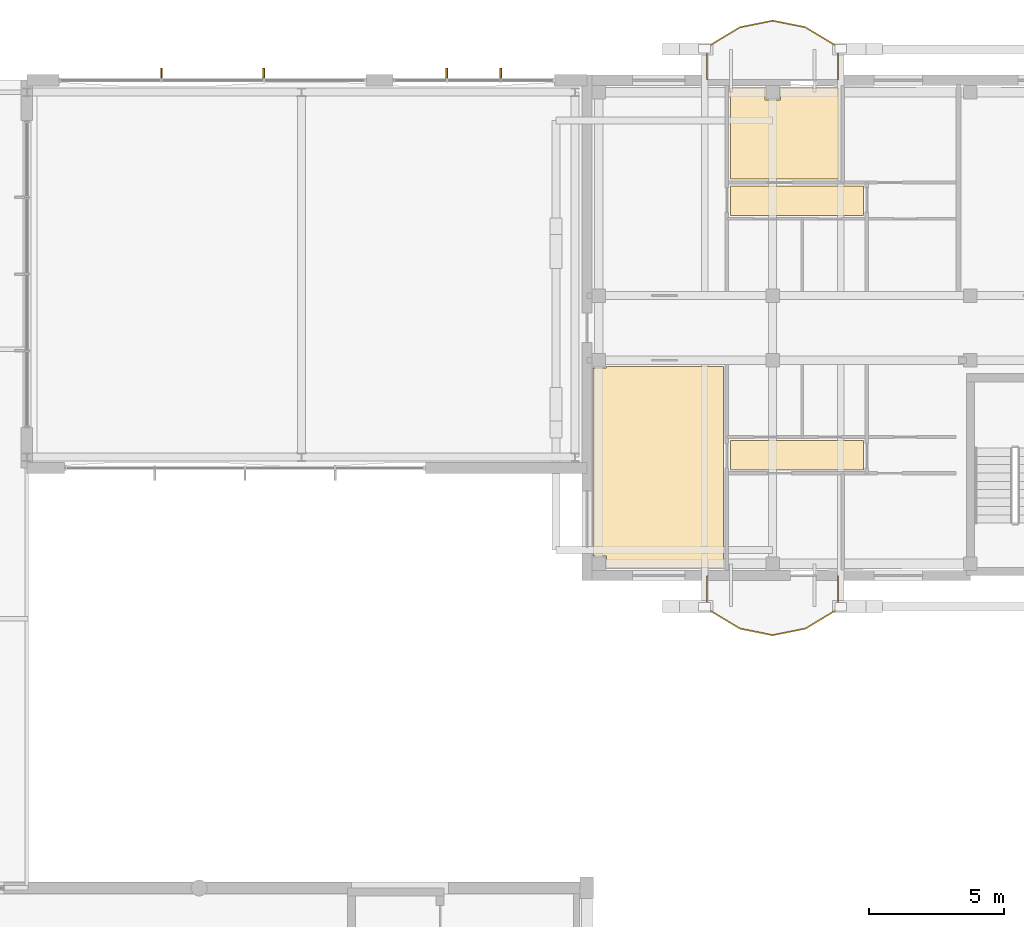
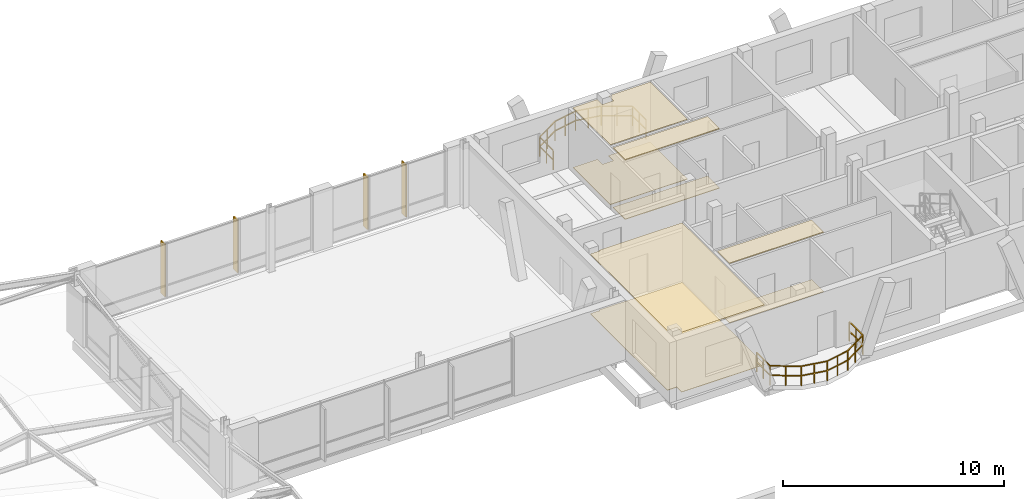
# One storey, part 184 of 189: 8 coverings, 4 shading devices, 2 railings.
"""IFC4 building model written with IfcOpenShell, lengths in metres."""

import ifcopenshell
import ifcopenshell.guid

model = None  # the IFC model being written
_history = None  # IfcOwnerHistory: only IFC2X3 demands one
_inside = {}  # id of a spatial element -> (the spatial element, [elements in it])
_under = {}  # id of a project, library or spatial element -> (it, [spatial elements below it])
_declared = {}  # id of a project -> (the project, [libraries it declares])
_typed = {}  # id of a type object -> (the type object, [elements of that type])
_made_of = {}  # id of a material, layer set ... -> (it, [elements and type objects made of it])


def new_model(schema):
    """Start an empty IFC model of exactly this schema.

    Asked for "IFC4X3", IfcOpenShell would pick the latest addendum, in which some entities
    have other attributes; the version numbers below select the first issue.
    IFC2X3 requires an IfcOwnerHistory on every rooted entity: one is made here for all.
    """
    global model, _history
    if schema == "IFC4X3":
        model = ifcopenshell.file(schema_version=(4, 3, 0, 0))
    else:
        model = ifcopenshell.file(schema=schema)
    _inside.clear()
    _under.clear()
    _declared.clear()
    _typed.clear()
    _made_of.clear()
    _history = None
    if model.schema == "IFC2X3":
        org = make("IfcOrganization", Name="unknown")
        user = make(
            "IfcPersonAndOrganization",
            ThePerson=make("IfcPerson", FamilyName="unknown"),
            TheOrganization=org,
        )
        app = make(
            "IfcApplication",
            ApplicationDeveloper=org,
            Version="unknown",
            ApplicationFullName="unknown",
            ApplicationIdentifier="unknown",
        )
        _history = make(
            "IfcOwnerHistory",
            OwningUser=user,
            OwningApplication=app,
            ChangeAction="ADDED",
            CreationDate=0,
        )
    return model


def make(cls, **values):
    """One entity of the class cls with the attributes given. An attribute that is None is left unset."""
    return model.create_entity(
        cls, **{name: value for name, value in values.items() if value is not None}
    )


def rooted(cls, **values):
    """An entity with a GlobalId (a new one), such as an element, a storey or a relation."""
    return make(cls, GlobalId=ifcopenshell.guid.new(), OwnerHistory=_history, **values)


def si_unit(unit_type, name, prefix=None):
    """IfcSIUnit, for example si_unit("LENGTHUNIT", "METRE", prefix="MILLI")."""
    return make("IfcSIUnit", UnitType=unit_type, Prefix=prefix, Name=name)


def assignment(units):
    """IfcUnitAssignment: the units of a project."""
    return None if units is None else make("IfcUnitAssignment", Units=units)


def point(xyz):
    """IfcCartesianPoint."""
    return None if xyz is None else make("IfcCartesianPoint", Coordinates=xyz)


def direction(xyz):
    """IfcDirection."""
    return None if xyz is None else make("IfcDirection", DirectionRatios=xyz)


def frame(location, z_axis=None, x_axis=None):
    """IfcAxis2Placement3D, a coordinate frame: its origin and axes. An axis left out is left unset."""
    return make(
        "IfcAxis2Placement3D",
        Location=point(location),
        Axis=direction(z_axis),
        RefDirection=direction(x_axis),
    )


def frame_2d(location, x_axis=None):
    """IfcAxis2Placement2D, a coordinate frame in the plane: its origin and x axis."""
    return make(
        "IfcAxis2Placement2D", Location=point(location), RefDirection=direction(x_axis)
    )


def origin():
    """The frame at (0, 0, 0) with its axes left unset."""
    return frame((0.0, 0.0, 0.0))


def origin_2d():
    """The frame at (0, 0) in the plane with its x axis left unset."""
    return frame_2d((0.0, 0.0))


def place(relative_to, where):
    """IfcLocalPlacement: puts the frame where relative to a parent placement (None: the world)."""
    return make(
        "IfcLocalPlacement", PlacementRelTo=relative_to, RelativePlacement=where
    )


def context(
    kind, dimensions, precision=None, world=None, true_north=None, identifier=None
):
    """IfcGeometricRepresentationContext, for example the 3D "Model" context."""
    return make(
        "IfcGeometricRepresentationContext",
        ContextIdentifier=identifier,
        ContextType=kind,
        CoordinateSpaceDimension=dimensions,
        Precision=precision,
        WorldCoordinateSystem=world,
        TrueNorth=true_north,
    )


def subcontext(parent, identifier, kind, view, scale=None):
    """IfcGeometricRepresentationSubContext, for example "Body" below "Model"."""
    return make(
        "IfcGeometricRepresentationSubContext",
        ContextIdentifier=identifier,
        ContextType=kind,
        ParentContext=parent,
        TargetScale=scale,
        TargetView=view,
    )


def project(units=None, contexts=None):
    """IfcProject with its units and contexts."""
    return rooted(
        "IfcProject",
        Name="project",
        RepresentationContexts=contexts,
        UnitsInContext=assignment(units),
    )


def spatial(cls, under=None, at=None, **own):
    """A site, building, storey or space (cls), placed at a placement, below another one or the project."""
    s = rooted(cls, ObjectPlacement=at, **own)
    if under is not None:
        _under.setdefault(under.id(), (under, []))[1].append(s)
    return s


def polyline(points):
    """IfcPolyline through the points."""
    return make("IfcPolyline", Points=[point(p) for p in points])


def profile(cls, at=None, kind="AREA", **sizes):
    """A parametric profile (cls). Its sizes go by their IFC names, for example OverallWidth=200.0."""
    return make(cls, ProfileType=kind, Position=at, **sizes)


def rectangle(**sizes):
    """IfcRectangleProfileDef."""
    return profile("IfcRectangleProfileDef", **sizes)


def outline(outer, holes=None, kind="AREA"):
    """IfcArbitraryClosedProfileDef: a profile drawn as a closed curve; with holes, ...WithVoids."""
    if holes is None:
        return make("IfcArbitraryClosedProfileDef", ProfileType=kind, OuterCurve=outer)
    return make(
        "IfcArbitraryProfileDefWithVoids",
        ProfileType=kind,
        OuterCurve=outer,
        InnerCurves=holes,
    )


def extrude(swept, where, along, depth):
    """IfcExtrudedAreaSolid: the profile swept, set in the frame where, extruded along a direction by depth."""
    return make(
        "IfcExtrudedAreaSolid",
        SweptArea=swept,
        Position=where,
        ExtrudedDirection=direction(along),
        Depth=depth,
    )


def shape(context_of_items, identifier, shape_type, items):
    """IfcShapeRepresentation: the items that make up one representation, for example the "Body"."""
    return make(
        "IfcShapeRepresentation",
        ContextOfItems=context_of_items,
        RepresentationIdentifier=identifier,
        RepresentationType=shape_type,
        Items=items,
    )


def material(Name=None, Category=None):
    """IfcMaterial."""
    return make("IfcMaterial", Name=Name, Category=Category)


def layer(
    of_material, thickness, ventilated=None, Name=None, Category=None, Priority=None
):
    """IfcMaterialLayer: one layer of a wall or slab, of a material (None: an air gap)."""
    return make(
        "IfcMaterialLayer",
        Material=of_material,
        LayerThickness=thickness,
        IsVentilated=ventilated,
        Name=Name,
        Category=Category,
        Priority=Priority,
    )


def layer_set(layers, Name=None):
    """IfcMaterialLayerSet."""
    return make("IfcMaterialLayerSet", MaterialLayers=layers, LayerSetName=Name)


def made_of(thing, what):
    """Note that an element or type object is made of a material, layer set ...; save() writes the relation."""
    if what is not None:
        _made_of.setdefault(what.id(), (what, []))[1].append(thing)
    return thing


def type_object(cls, material=None, **own):
    """A type object (cls), such as IfcWallType, which elements share."""
    return made_of(rooted(cls, **own), material)


def element(
    cls,
    number,
    at=None,
    inside=None,
    cuts=None,
    type_object=None,
    material=None,
    context=None,
    identifier="Body",
    shape_type=None,
    held_by="IfcProductDefinitionShape",
    body=None,
    shapes=None,
    **own,
):
    """One element of the class cls, such as IfcWall. Its Tag is "e" and its number.

    at: its placement. inside: the storey or other place that contains it. cuts: it is an
    opening in that element (IfcRelVoidsElement). A single representation is given by context,
    identifier, shape_type and body (its items); several are given by shapes. held_by: the class
    of the entity that holds the representations. save() writes the other relations.
    """
    e = rooted(cls, Tag="e%d" % number, ObjectPlacement=at, **own)
    if body is not None:
        shapes = [shape(context, identifier, shape_type, body)]
    if shapes is not None:
        e.Representation = make(held_by, Representations=shapes)
    if inside is not None:
        _inside.setdefault(inside.id(), (inside, []))[1].append(e)
    if cuts is not None:
        rooted(
            "IfcRelVoidsElement", RelatingBuildingElement=cuts, RelatedOpeningElement=e
        )
    if type_object is not None:
        _typed.setdefault(type_object.id(), (type_object, []))[1].append(e)
    return made_of(e, material)


def aggregate(whole, parts):
    """IfcRelAggregates: a whole, such as a stair, and the parts it consists of."""
    return rooted("IfcRelAggregates", RelatingObject=whole, RelatedObjects=parts)


def save(model, path):
    """Write the relations noted so far, then the file.

    IfcRelAggregates (storeys below a building ...), IfcRelContainedInSpatialStructure (elements
    in a storey), IfcRelDefinesByType, IfcRelAssociatesMaterial and IfcRelDeclares: one each for
    every whole, place, type object, material and project.
    """
    for whole, parts in _under.values():
        aggregate(whole, parts)
    for where, things in _inside.values():
        rooted(
            "IfcRelContainedInSpatialStructure",
            RelatedElements=things,
            RelatingStructure=where,
        )
    for kind, things in _typed.values():
        rooted("IfcRelDefinesByType", RelatedObjects=things, RelatingType=kind)
    for what, things in _made_of.values():
        rooted("IfcRelAssociatesMaterial", RelatedObjects=things, RelatingMaterial=what)
    for by, libraries in _declared.values():
        rooted("IfcRelDeclares", RelatingContext=by, RelatedDefinitions=libraries)
    model.write(path)


model = new_model("IFC4")

# Units and contexts
model_context = context("Model", 3, precision=1e-05, world=origin(), true_north=direction((0.0, 1.0)))
body_context = subcontext(model_context, "Body", "Model", "MODEL_VIEW")
ifc_project = project(units=[si_unit("LENGTHUNIT", "METRE"), si_unit("AREAUNIT", "SQUARE_METRE"), si_unit("VOLUMEUNIT", "CUBIC_METRE"), si_unit("PLANEANGLEUNIT", "RADIAN"), si_unit("MASSUNIT", "GRAM", prefix="KILO")], contexts=[model_context])

# Site, building, storey
site_placement = place(None, origin())
site = spatial("IfcSite", under=ifc_project, at=site_placement, CompositionType="ELEMENT")
building_placement = place(site_placement, origin())
building = spatial("IfcBuilding", under=site, at=building_placement, Name="Zavelmont Quarter", CompositionType="ELEMENT")
storey_placement = place(building_placement, frame((0.0, 0.0, 4.39990234375)))
storey = spatial("IfcBuildingStorey", under=building, at=storey_placement, Name="L01", CompositionType="ELEMENT", Elevation=4.39990234375)

# Coverings
ifc_material_1 = material(Name="Perforated acoustic gypsum board")
ifc_layer_1 = layer(ifc_material_1, 0.02490234375)
ifc_layer_set_1 = layer_set([ifc_layer_1], Name="Perforated acoustic gypsum board")
covering_type_1 = type_object("IfcCoveringType", Name="CV-CL01", PredefinedType="CEILING", material=ifc_layer_set_1)
covering_1_placement = place(storey_placement, frame((0.0, 0.0, 3.30517578125)))
element("IfcCovering", 1, at=covering_1_placement, inside=storey, type_object=covering_type_1, Name="L01 Master Bedroom acoustic ceiling", PredefinedType="CEILING", context=body_context, shape_type="SweptSolid", body=[
    extrude(outline(polyline([(118.1298828125, 115.719970703125), (119.409912109375, 115.719970703125), (119.409912109375, 115.27001953125), (119.989990234375, 115.27001953125), (119.989990234375, 115.719970703125), (122.169921875, 115.719970703125), (122.169921875, 112.330078125), (118.1298828125, 112.330078125), (118.1298828125, 115.719970703125)])), origin(), (0.0, 0.0, 1.0), 0.02490234375),
])
covering_2_placement = place(storey_placement, frame((0.0, 0.0, 3.30517578125)))
element("IfcCovering", 2, at=covering_2_placement, inside=storey, type_object=covering_type_1, Name="L01 Living Dining acoustic ceiling", PredefinedType="CEILING", context=body_context, shape_type="SweptSolid", body=[
    extrude(outline(polyline([(113.030029296875, 105.31005859375), (113.530029296875, 105.31005859375), (113.530029296875, 105.3701171875), (117.8701171875, 105.3701171875), (117.8701171875, 97.8798828125), (113.530029296875, 97.8798828125), (113.530029296875, 98.330078125), (113.030029296875, 98.330078125), (113.030029296875, 105.31005859375)])), origin(), (0.0, 0.0, 1.0), 0.02490234375),
])
ifc_material_2 = material(Name="Slatted European ash acoustic baffle ceiling")
ifc_layer_2 = layer(ifc_material_2, 0.0400390625)
ifc_layer_set_2 = layer_set([ifc_layer_2], Name="Slatted European ash acoustic baffle ceiling")
covering_type_2 = type_object("IfcCoveringType", Name="CV-CL02", PredefinedType="CEILING", material=ifc_layer_set_2)
covering_3_placement = place(storey_placement, frame((0.0, 0.0, 3.2900390625)))
element("IfcCovering", 3, at=covering_3_placement, inside=storey, type_object=covering_type_2, Name="L01 Apartment Hall acoustic ceiling", PredefinedType="CEILING", context=body_context, shape_type="SweptSolid", body=[
    extrude(outline(polyline([(118.1298828125, 112.070068359375), (123.070068359375, 112.070068359375), (123.070068359375, 110.97998046875), (118.1298828125, 110.97998046875), (118.1298828125, 112.070068359375)])), origin(), (0.0, 0.0, 1.0), 0.0400390625),
])
covering_4_placement = place(storey_placement, frame((0.0, 0.0, 3.2900390625)))
element("IfcCovering", 4, at=covering_4_placement, inside=storey, type_object=covering_type_2, Name="L01 Apartment Hall acoustic ceiling", PredefinedType="CEILING", context=body_context, shape_type="SweptSolid", body=[
    extrude(outline(polyline([(118.1298828125, 102.6201171875), (123.070068359375, 102.6201171875), (123.070068359375, 101.530029296875), (118.1298828125, 101.530029296875), (118.1298828125, 102.6201171875)])), origin(), (0.0, 0.0, 1.0), 0.0400390625),
])
ifc_material_3 = material(Name="Engineered European oak parquet")
ifc_layer_3 = layer(ifc_material_3, 0.02197265625)
ifc_layer_set_3 = layer_set([ifc_layer_3], Name="Engineered European oak parquet")
covering_type_3 = type_object("IfcCoveringType", Name="CV-FL01", PredefinedType="FLOORING", material=ifc_layer_set_3)
covering_5_placement = place(storey_placement, origin())
element("IfcCovering", 5, at=covering_5_placement, inside=storey, type_object=covering_type_3, Name="L01 Master Bedroom floor finish", PredefinedType="FLOORING", context=body_context, shape_type="SweptSolid", body=[
    extrude(outline(polyline([(118.1298828125, 115.719970703125), (119.409912109375, 115.719970703125), (119.409912109375, 115.27001953125), (119.989990234375, 115.27001953125), (119.989990234375, 115.719970703125), (122.169921875, 115.719970703125), (122.169921875, 112.330078125), (118.1298828125, 112.330078125), (118.1298828125, 115.719970703125)])), origin(), (0.0, 0.0, 1.0), 0.022216796875),
])
covering_6_placement = place(storey_placement, origin())
element("IfcCovering", 6, at=covering_6_placement, inside=storey, type_object=covering_type_3, Name="L01 Living Dining floor finish", PredefinedType="FLOORING", context=body_context, shape_type="SweptSolid", body=[
    extrude(outline(polyline([(113.030029296875, 105.31005859375), (113.530029296875, 105.31005859375), (113.530029296875, 105.3701171875), (117.8701171875, 105.3701171875), (117.8701171875, 97.8798828125), (113.530029296875, 97.8798828125), (113.530029296875, 98.330078125), (113.030029296875, 98.330078125), (113.030029296875, 105.31005859375)])), origin(), (0.0, 0.0, 1.0), 0.022216796875),
])
ifc_material_4 = material(Name="Honed Belgian bluestone tile", Category="masonry")
ifc_layer_4 = layer(ifc_material_4, 0.030029296875)
ifc_layer_set_4 = layer_set([ifc_layer_4], Name="Honed Belgian bluestone tile")
covering_type_4 = type_object("IfcCoveringType", Name="CV-FL02", PredefinedType="FLOORING", material=ifc_layer_set_4)
covering_7_placement = place(storey_placement, origin())
element("IfcCovering", 7, at=covering_7_placement, inside=storey, type_object=covering_type_4, Name="L01 Apartment Hall floor finish", PredefinedType="FLOORING", context=body_context, shape_type="SweptSolid", body=[
    extrude(outline(polyline([(118.1298828125, 112.070068359375), (123.070068359375, 112.070068359375), (123.070068359375, 110.97998046875), (118.1298828125, 110.97998046875), (118.1298828125, 112.070068359375)])), origin(), (0.0, 0.0, 1.0), 0.030029296875),
])
covering_8_placement = place(storey_placement, origin())
element("IfcCovering", 8, at=covering_8_placement, inside=storey, type_object=covering_type_4, Name="L01 Apartment Hall floor finish", PredefinedType="FLOORING", context=body_context, shape_type="SweptSolid", body=[
    extrude(outline(polyline([(118.1298828125, 102.6201171875), (123.070068359375, 102.6201171875), (123.070068359375, 101.530029296875), (118.1298828125, 101.530029296875), (118.1298828125, 102.6201171875)])), origin(), (0.0, 0.0, 1.0), 0.030029296875),
])

# Railings
ifc_material_5 = material(Name="Powder-coated steel and tempered double safety glass", Category="steel")
railing_type = type_object("IfcRailingType", Name="RL-BAL1", PredefinedType="BALUSTRADE", material=ifc_material_5)
railing_1_placement = place(storey_placement, frame((122.126708984375, 116.02001953125, 0.0)))
element("IfcRailing", 9, at=railing_1_placement, inside=storey, type_object=railing_type, Name="L01 Block C curved balcony guard RL-BAL1", PredefinedType="BALUSTRADE", context=body_context, shape_type="SweptSolid", body=[
    extrude(rectangle(XDim=0.048095703125, YDim=0.048095703125, at=origin_2d()), frame((0.0, 0.0, 1.076171875), z_axis=(0.0, 1.0, 0.0), x_axis=(-1.0, 0.0, 0.0)), (0.0, 0.0, 1.0), 1.21923828125),
    extrude(rectangle(XDim=0.048095703125, YDim=0.048095703125, at=origin_2d()), frame((0.0, 0.0, 0.550048828125), z_axis=(0.0, 1.0, 0.0), x_axis=(-1.0, 0.0, 0.0)), (0.0, 0.0, 1.0), 1.21923828125),
    extrude(rectangle(XDim=0.048095703125, YDim=0.048095703125, at=origin_2d()), frame((0.0, 1.21923828125, 1.076171875), z_axis=(-0.856807653627, 0.515636155332, 0.0), x_axis=(-0.515636155332, -0.856807653627, 0.0)), (0.0, 0.0, 1.0), 1.416259765625),
    extrude(rectangle(XDim=0.048095703125, YDim=0.048095703125, at=origin_2d()), frame((0.0, 1.21923828125, 0.550048828125), z_axis=(-0.856807653627, 0.515636155332, 0.0), x_axis=(-0.515636155332, -0.856807653627, 0.0)), (0.0, 0.0, 1.0), 1.416259765625),
    extrude(rectangle(XDim=0.048095703125, YDim=0.048095703125, at=origin_2d()), frame((-1.21337890625, 1.949462890625, 1.076171875), z_axis=(-0.98046669691, 0.196685170386, 0.0), x_axis=(-0.196685170386, -0.98046669691, 0.0)), (0.0, 0.0, 1.0), 1.237548828125),
    extrude(rectangle(XDim=0.048095703125, YDim=0.048095703125, at=origin_2d()), frame((-1.21337890625, 1.949462890625, 0.550048828125), z_axis=(-0.98046669691, 0.196685170386, 0.0), x_axis=(-0.196685170386, -0.98046669691, 0.0)), (0.0, 0.0, 1.0), 1.237548828125),
    extrude(rectangle(XDim=0.048095703125, YDim=0.048095703125, at=origin_2d()), frame((-2.4267578125, 2.19287109375, 1.076171875), z_axis=(-0.980459063024, -0.196723221138, 0.0), x_axis=(0.196723221138, -0.980459063024, 0.0)), (0.0, 0.0, 1.0), 1.2373046875),
    extrude(rectangle(XDim=0.048095703125, YDim=0.048095703125, at=origin_2d()), frame((-2.4267578125, 2.19287109375, 0.550048828125), z_axis=(-0.980459063024, -0.196723221138, 0.0), x_axis=(0.196723221138, -0.980459063024, 0.0)), (0.0, 0.0, 1.0), 1.2373046875),
    extrude(rectangle(XDim=0.048095703125, YDim=0.048095703125, at=origin_2d()), frame((-3.639892578125, 1.949462890625, 1.076171875), z_axis=(-0.856807653627, -0.515636155332, 0.0), x_axis=(0.515636155332, -0.856807653627, 0.0)), (0.0, 0.0, 1.0), 1.416259765625),
    extrude(rectangle(XDim=0.048095703125, YDim=0.048095703125, at=origin_2d()), frame((-3.639892578125, 1.949462890625, 0.550048828125), z_axis=(-0.856807653627, -0.515636155332, 0.0), x_axis=(0.515636155332, -0.856807653627, 0.0)), (0.0, 0.0, 1.0), 1.416259765625),
    extrude(rectangle(XDim=0.048095703125, YDim=0.048095703125, at=origin_2d()), frame((-4.853271484375, 1.21923828125, 1.076171875), z_axis=(0.0, -1.0, 0.0), x_axis=(1.0, 0.0, 0.0)), (0.0, 0.0, 1.0), 1.21923828125),
    extrude(rectangle(XDim=0.048095703125, YDim=0.048095703125, at=origin_2d()), frame((-4.853271484375, 1.21923828125, 0.550048828125), z_axis=(0.0, -1.0, 0.0), x_axis=(1.0, 0.0, 0.0)), (0.0, 0.0, 1.0), 1.21923828125),
    extrude(rectangle(XDim=0.0419921875, YDim=0.0419921875, at=origin_2d()), origin(), (0.0, 0.0, 1.0), 1.052001953125),
    extrude(rectangle(XDim=0.0419921875, YDim=0.0419921875, at=origin_2d()), frame((0.0, 0.609619140625, 0.0)), (0.0, 0.0, 1.0), 1.052001953125),
    extrude(rectangle(XDim=0.0419921875, YDim=0.0419921875, at=origin_2d()), frame((0.0, 1.21923828125, 0.0)), (0.0, 0.0, 1.0), 1.052001953125),
    extrude(rectangle(XDim=0.0419921875, YDim=0.0419921875, at=origin_2d()), frame((-0.606689453125, 1.58447265625, 0.0)), (0.0, 0.0, 1.0), 1.052001953125),
    extrude(rectangle(XDim=0.0419921875, YDim=0.0419921875, at=origin_2d()), frame((-1.21337890625, 1.949462890625, 0.0)), (0.0, 0.0, 1.0), 1.052001953125),
    extrude(rectangle(XDim=0.0419921875, YDim=0.0419921875, at=origin_2d()), frame((-1.820068359375, 2.0712890625, 0.0)), (0.0, 0.0, 1.0), 1.052001953125),
    extrude(rectangle(XDim=0.0419921875, YDim=0.0419921875, at=origin_2d()), frame((-2.4267578125, 2.19287109375, 0.0)), (0.0, 0.0, 1.0), 1.052001953125),
    extrude(rectangle(XDim=0.0419921875, YDim=0.0419921875, at=origin_2d()), frame((-3.033203125, 2.0712890625, 0.0)), (0.0, 0.0, 1.0), 1.052001953125),
    extrude(rectangle(XDim=0.0419921875, YDim=0.0419921875, at=origin_2d()), frame((-3.639892578125, 1.949462890625, 0.0)), (0.0, 0.0, 1.0), 1.052001953125),
    extrude(rectangle(XDim=0.0419921875, YDim=0.0419921875, at=origin_2d()), frame((-4.24658203125, 1.58447265625, 0.0)), (0.0, 0.0, 1.0), 1.052001953125),
    extrude(rectangle(XDim=0.0419921875, YDim=0.0419921875, at=origin_2d()), frame((-4.853271484375, 1.21923828125, 0.0)), (0.0, 0.0, 1.0), 1.052001953125),
    extrude(rectangle(XDim=0.0419921875, YDim=0.0419921875, at=origin_2d()), frame((-4.853271484375, 0.609619140625, 0.0)), (0.0, 0.0, 1.0), 1.052001953125),
    extrude(rectangle(XDim=0.0419921875, YDim=0.0419921875, at=origin_2d()), frame((-4.853271484375, 0.0, 0.0)), (0.0, 0.0, 1.0), 1.052001953125),
])
railing_2_placement = place(storey_placement, frame((117.2734375, 97.580078125, 0.0)))
element("IfcRailing", 10, at=railing_2_placement, inside=storey, type_object=railing_type, Name="L01 Block C curved balcony guard RL-BAL1", PredefinedType="BALUSTRADE", context=body_context, shape_type="SweptSolid", body=[
    extrude(rectangle(XDim=0.048095703125, YDim=0.048095703125, at=origin_2d()), frame((0.0, 0.0, 1.076171875), z_axis=(0.0, -1.0, 0.0), x_axis=(1.0, 0.0, 0.0)), (0.0, 0.0, 1.0), 1.219482421875),
    extrude(rectangle(XDim=0.048095703125, YDim=0.048095703125, at=origin_2d()), frame((0.0, 0.0, 0.550048828125), z_axis=(0.0, -1.0, 0.0), x_axis=(1.0, 0.0, 0.0)), (0.0, 0.0, 1.0), 1.219482421875),
    extrude(rectangle(XDim=0.048095703125, YDim=0.048095703125, at=origin_2d()), frame((0.0, -1.219482421875, 1.076171875), z_axis=(0.856807653627, -0.515636155332, 0.0), x_axis=(0.515636155332, 0.856807653627, 0.0)), (0.0, 0.0, 1.0), 1.416259765625),
    extrude(rectangle(XDim=0.048095703125, YDim=0.048095703125, at=origin_2d()), frame((0.0, -1.219482421875, 0.550048828125), z_axis=(0.856807653627, -0.515636155332, 0.0), x_axis=(0.515636155332, 0.856807653627, 0.0)), (0.0, 0.0, 1.0), 1.416259765625),
    extrude(rectangle(XDim=0.048095703125, YDim=0.048095703125, at=origin_2d()), frame((1.21337890625, -1.94970703125, 1.076171875), z_axis=(0.980459063024, -0.196723221138, 0.0), x_axis=(0.196723221138, 0.980459063024, 0.0)), (0.0, 0.0, 1.0), 1.2373046875),
    extrude(rectangle(XDim=0.048095703125, YDim=0.048095703125, at=origin_2d()), frame((1.21337890625, -1.94970703125, 0.550048828125), z_axis=(0.980459063024, -0.196723221138, 0.0), x_axis=(0.196723221138, 0.980459063024, 0.0)), (0.0, 0.0, 1.0), 1.2373046875),
    extrude(rectangle(XDim=0.048095703125, YDim=0.048095703125, at=origin_2d()), frame((2.426513671875, -2.193115234375, 1.076171875), z_axis=(0.98046669691, 0.196685170386, 0.0), x_axis=(-0.196685170386, 0.98046669691, 0.0)), (0.0, 0.0, 1.0), 1.237548828125),
    extrude(rectangle(XDim=0.048095703125, YDim=0.048095703125, at=origin_2d()), frame((2.426513671875, -2.193115234375, 0.550048828125), z_axis=(0.98046669691, 0.196685170386, 0.0), x_axis=(-0.196685170386, 0.98046669691, 0.0)), (0.0, 0.0, 1.0), 1.237548828125),
    extrude(rectangle(XDim=0.048095703125, YDim=0.048095703125, at=origin_2d()), frame((3.639892578125, -1.94970703125, 1.076171875), z_axis=(0.856807653627, 0.515636155332, 0.0), x_axis=(-0.515636155332, 0.856807653627, 0.0)), (0.0, 0.0, 1.0), 1.416259765625),
    extrude(rectangle(XDim=0.048095703125, YDim=0.048095703125, at=origin_2d()), frame((3.639892578125, -1.94970703125, 0.550048828125), z_axis=(0.856807653627, 0.515636155332, 0.0), x_axis=(-0.515636155332, 0.856807653627, 0.0)), (0.0, 0.0, 1.0), 1.416259765625),
    extrude(rectangle(XDim=0.048095703125, YDim=0.048095703125, at=origin_2d()), frame((4.853271484375, -1.219482421875, 1.076171875), z_axis=(0.0, 1.0, 0.0), x_axis=(-1.0, 0.0, 0.0)), (0.0, 0.0, 1.0), 1.219482421875),
    extrude(rectangle(XDim=0.048095703125, YDim=0.048095703125, at=origin_2d()), frame((4.853271484375, -1.219482421875, 0.550048828125), z_axis=(0.0, 1.0, 0.0), x_axis=(-1.0, 0.0, 0.0)), (0.0, 0.0, 1.0), 1.219482421875),
    extrude(rectangle(XDim=0.0419921875, YDim=0.0419921875, at=origin_2d()), origin(), (0.0, 0.0, 1.0), 1.052001953125),
    extrude(rectangle(XDim=0.0419921875, YDim=0.0419921875, at=origin_2d()), frame((0.0, -0.60986328125, 0.0)), (0.0, 0.0, 1.0), 1.052001953125),
    extrude(rectangle(XDim=0.0419921875, YDim=0.0419921875, at=origin_2d()), frame((0.0, -1.219482421875, 0.0)), (0.0, 0.0, 1.0), 1.052001953125),
    extrude(rectangle(XDim=0.0419921875, YDim=0.0419921875, at=origin_2d()), frame((0.606689453125, -1.58447265625, 0.0)), (0.0, 0.0, 1.0), 1.052001953125),
    extrude(rectangle(XDim=0.0419921875, YDim=0.0419921875, at=origin_2d()), frame((1.21337890625, -1.94970703125, 0.0)), (0.0, 0.0, 1.0), 1.052001953125),
    extrude(rectangle(XDim=0.0419921875, YDim=0.0419921875, at=origin_2d()), frame((1.81982421875, -2.0712890625, 0.0)), (0.0, 0.0, 1.0), 1.052001953125),
    extrude(rectangle(XDim=0.0419921875, YDim=0.0419921875, at=origin_2d()), frame((2.426513671875, -2.193115234375, 0.0)), (0.0, 0.0, 1.0), 1.052001953125),
    extrude(rectangle(XDim=0.0419921875, YDim=0.0419921875, at=origin_2d()), frame((3.033203125, -2.0712890625, 0.0)), (0.0, 0.0, 1.0), 1.052001953125),
    extrude(rectangle(XDim=0.0419921875, YDim=0.0419921875, at=origin_2d()), frame((3.639892578125, -1.94970703125, 0.0)), (0.0, 0.0, 1.0), 1.052001953125),
    extrude(rectangle(XDim=0.0419921875, YDim=0.0419921875, at=origin_2d()), frame((4.24658203125, -1.58447265625, 0.0)), (0.0, 0.0, 1.0), 1.052001953125),
    extrude(rectangle(XDim=0.0419921875, YDim=0.0419921875, at=origin_2d()), frame((4.853271484375, -1.219482421875, 0.0)), (0.0, 0.0, 1.0), 1.052001953125),
    extrude(rectangle(XDim=0.0419921875, YDim=0.0419921875, at=origin_2d()), frame((4.853271484375, -0.60986328125, 0.0)), (0.0, 0.0, 1.0), 1.052001953125),
    extrude(rectangle(XDim=0.0419921875, YDim=0.0419921875, at=origin_2d()), frame((4.853271484375, 0.0, 0.0)), (0.0, 0.0, 1.0), 1.052001953125),
])

# Shading devices
ifc_material_6 = material(Name="Anodised aluminium EN AW-6063-T6", Category="aluminium")
shading_device_type = type_object("IfcShadingDeviceType", Name="SD05", PredefinedType="JALOUSIE", material=ifc_material_6)
for number, where, z_axis, x_axis, name in (
    (11, (97.0, 116.260009765625, 0.050048828125), (0.0, 0.0, 1.0), (1.0, 0.0, 0.0), "L01 solar brise-soleil fin SD05"),
    (12, (100.800048828125, 116.260009765625, 0.050048828125), (0.0, 0.0, 1.0), (1.0, 0.0, 0.0), "L01 solar brise-soleil fin SD05"),
    (13, (107.60009765625, 116.260009765625, 0.050048828125), (0.0, 0.0, 1.0), (1.0, 0.0, 0.0), "L01 solar brise-soleil fin SD05"),
    (14, (109.60009765625, 116.260009765625, 0.050048828125), (0.0, 0.0, 1.0), (1.0, 0.0, 0.0), "L01 solar brise-soleil fin SD05"),
):
    element("IfcShadingDevice", number, at=place(storey_placement, frame(where, z_axis=z_axis, x_axis=x_axis)), inside=storey, type_object=shading_device_type, Name=name, PredefinedType="JALOUSIE", context=body_context, shape_type="SweptSolid", body=[
        extrude(rectangle(XDim=0.070068359375, YDim=0.3798828125, at=origin_2d()), origin(), (0.0, 0.0, 1.0), 2.89990234375),
    ])

save(model, "model.ifc")
